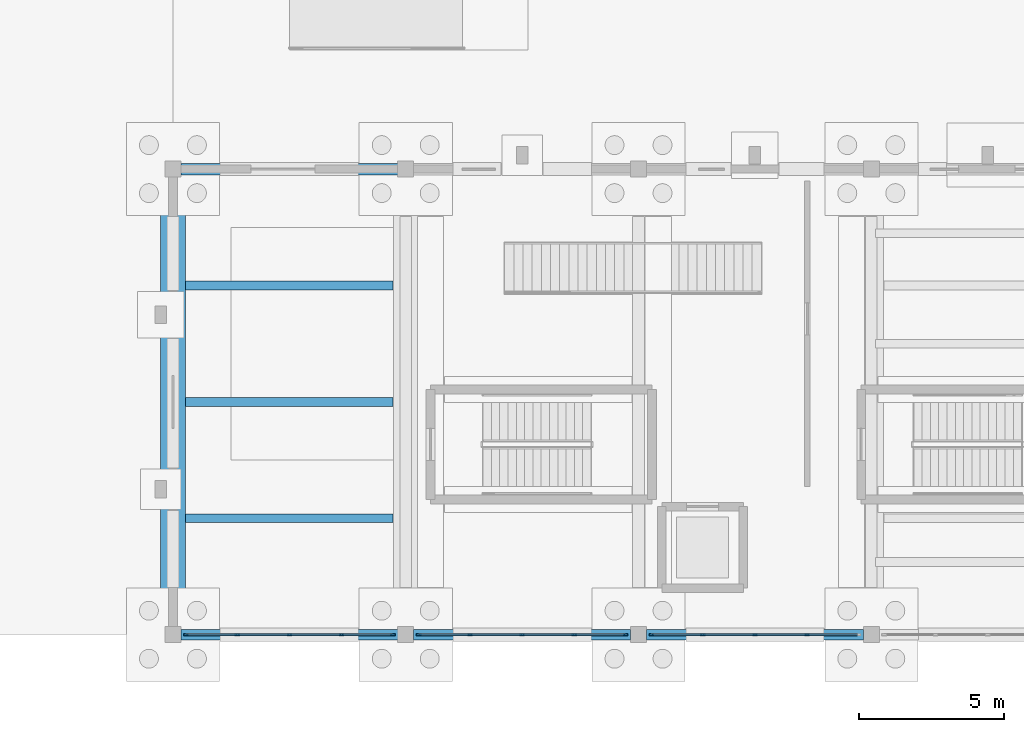
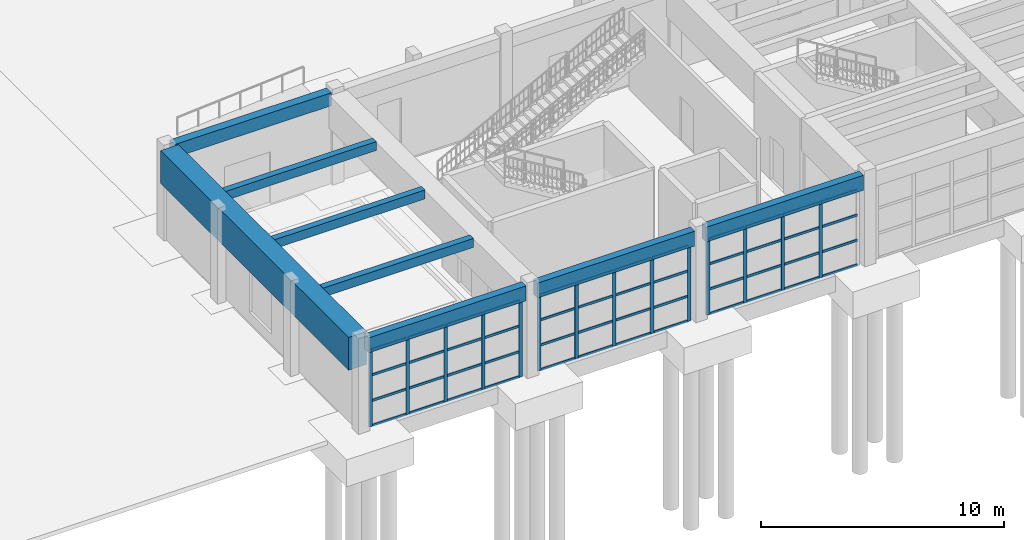
# One storey, part 18 of 68: 62 members, 8 beams, 3 elements without a shape of their own.
"""IFC4 building model written with IfcOpenShell, lengths in metres."""

import ifcopenshell
import ifcopenshell.guid

model = None  # the IFC model being written
_history = None  # IfcOwnerHistory: only IFC2X3 demands one
_inside = {}  # id of a spatial element -> (the spatial element, [elements in it])
_under = {}  # id of a project, library or spatial element -> (it, [spatial elements below it])
_declared = {}  # id of a project -> (the project, [libraries it declares])
_typed = {}  # id of a type object -> (the type object, [elements of that type])
_made_of = {}  # id of a material, layer set ... -> (it, [elements and type objects made of it])


def new_model(schema):
    """Start an empty IFC model of exactly this schema.

    Asked for "IFC4X3", IfcOpenShell would pick the latest addendum, in which some entities
    have other attributes; the version numbers below select the first issue.
    IFC2X3 requires an IfcOwnerHistory on every rooted entity: one is made here for all.
    """
    global model, _history
    if schema == "IFC4X3":
        model = ifcopenshell.file(schema_version=(4, 3, 0, 0))
    else:
        model = ifcopenshell.file(schema=schema)
    _inside.clear()
    _under.clear()
    _declared.clear()
    _typed.clear()
    _made_of.clear()
    _history = None
    if model.schema == "IFC2X3":
        org = make("IfcOrganization", Name="unknown")
        user = make(
            "IfcPersonAndOrganization",
            ThePerson=make("IfcPerson", FamilyName="unknown"),
            TheOrganization=org,
        )
        app = make(
            "IfcApplication",
            ApplicationDeveloper=org,
            Version="unknown",
            ApplicationFullName="unknown",
            ApplicationIdentifier="unknown",
        )
        _history = make(
            "IfcOwnerHistory",
            OwningUser=user,
            OwningApplication=app,
            ChangeAction="ADDED",
            CreationDate=0,
        )
    return model


def make(cls, **values):
    """One entity of the class cls with the attributes given. An attribute that is None is left unset."""
    return model.create_entity(
        cls, **{name: value for name, value in values.items() if value is not None}
    )


def rooted(cls, **values):
    """An entity with a GlobalId (a new one), such as an element, a storey or a relation."""
    return make(cls, GlobalId=ifcopenshell.guid.new(), OwnerHistory=_history, **values)


def si_unit(unit_type, name, prefix=None):
    """IfcSIUnit, for example si_unit("LENGTHUNIT", "METRE", prefix="MILLI")."""
    return make("IfcSIUnit", UnitType=unit_type, Prefix=prefix, Name=name)


def assignment(units):
    """IfcUnitAssignment: the units of a project."""
    return None if units is None else make("IfcUnitAssignment", Units=units)


def point(xyz):
    """IfcCartesianPoint."""
    return None if xyz is None else make("IfcCartesianPoint", Coordinates=xyz)


def direction(xyz):
    """IfcDirection."""
    return None if xyz is None else make("IfcDirection", DirectionRatios=xyz)


def frame(location, z_axis=None, x_axis=None):
    """IfcAxis2Placement3D, a coordinate frame: its origin and axes. An axis left out is left unset."""
    return make(
        "IfcAxis2Placement3D",
        Location=point(location),
        Axis=direction(z_axis),
        RefDirection=direction(x_axis),
    )


def frame_2d(location, x_axis=None):
    """IfcAxis2Placement2D, a coordinate frame in the plane: its origin and x axis."""
    return make(
        "IfcAxis2Placement2D", Location=point(location), RefDirection=direction(x_axis)
    )


def origin():
    """The frame at (0, 0, 0) with its axes left unset."""
    return frame((0.0, 0.0, 0.0))


def origin_2d():
    """The frame at (0, 0) in the plane with its x axis left unset."""
    return frame_2d((0.0, 0.0))


def place(relative_to, where):
    """IfcLocalPlacement: puts the frame where relative to a parent placement (None: the world)."""
    return make(
        "IfcLocalPlacement", PlacementRelTo=relative_to, RelativePlacement=where
    )


def context(
    kind, dimensions, precision=None, world=None, true_north=None, identifier=None
):
    """IfcGeometricRepresentationContext, for example the 3D "Model" context."""
    return make(
        "IfcGeometricRepresentationContext",
        ContextIdentifier=identifier,
        ContextType=kind,
        CoordinateSpaceDimension=dimensions,
        Precision=precision,
        WorldCoordinateSystem=world,
        TrueNorth=true_north,
    )


def subcontext(parent, identifier, kind, view, scale=None):
    """IfcGeometricRepresentationSubContext, for example "Body" below "Model"."""
    return make(
        "IfcGeometricRepresentationSubContext",
        ContextIdentifier=identifier,
        ContextType=kind,
        ParentContext=parent,
        TargetScale=scale,
        TargetView=view,
    )


def project(units=None, contexts=None):
    """IfcProject with its units and contexts."""
    return rooted(
        "IfcProject",
        Name="project",
        RepresentationContexts=contexts,
        UnitsInContext=assignment(units),
    )


def spatial(cls, under=None, at=None, **own):
    """A site, building, storey or space (cls), placed at a placement, below another one or the project."""
    s = rooted(cls, ObjectPlacement=at, **own)
    if under is not None:
        _under.setdefault(under.id(), (under, []))[1].append(s)
    return s


def profile(cls, at=None, kind="AREA", **sizes):
    """A parametric profile (cls). Its sizes go by their IFC names, for example OverallWidth=200.0."""
    return make(cls, ProfileType=kind, Position=at, **sizes)


def rectangle(**sizes):
    """IfcRectangleProfileDef."""
    return profile("IfcRectangleProfileDef", **sizes)


def extrude(swept, where, along, depth):
    """IfcExtrudedAreaSolid: the profile swept, set in the frame where, extruded along a direction by depth."""
    return make(
        "IfcExtrudedAreaSolid",
        SweptArea=swept,
        Position=where,
        ExtrudedDirection=direction(along),
        Depth=depth,
    )


def shape(context_of_items, identifier, shape_type, items):
    """IfcShapeRepresentation: the items that make up one representation, for example the "Body"."""
    return make(
        "IfcShapeRepresentation",
        ContextOfItems=context_of_items,
        RepresentationIdentifier=identifier,
        RepresentationType=shape_type,
        Items=items,
    )


def material(Name=None, Category=None):
    """IfcMaterial."""
    return make("IfcMaterial", Name=Name, Category=Category)


def material_profile(
    of_material, cross_section, Name=None, Category=None, Priority=None
):
    """IfcMaterialProfile: a cross section and its material."""
    return make(
        "IfcMaterialProfile",
        Name=Name,
        Material=of_material,
        Profile=cross_section,
        Priority=Priority,
        Category=Category,
    )


def profile_set(profiles, Name=None, composite=None):
    """IfcMaterialProfileSet."""
    return make(
        "IfcMaterialProfileSet",
        Name=Name,
        MaterialProfiles=profiles,
        CompositeProfile=composite,
    )


def made_of(thing, what):
    """Note that an element or type object is made of a material, layer set ...; save() writes the relation."""
    if what is not None:
        _made_of.setdefault(what.id(), (what, []))[1].append(thing)
    return thing


def type_object(cls, material=None, **own):
    """A type object (cls), such as IfcWallType, which elements share."""
    return made_of(rooted(cls, **own), material)


def element(
    cls,
    number,
    at=None,
    inside=None,
    cuts=None,
    type_object=None,
    material=None,
    context=None,
    identifier="Body",
    shape_type=None,
    held_by="IfcProductDefinitionShape",
    body=None,
    shapes=None,
    **own,
):
    """One element of the class cls, such as IfcWall. Its Tag is "e" and its number.

    at: its placement. inside: the storey or other place that contains it. cuts: it is an
    opening in that element (IfcRelVoidsElement). A single representation is given by context,
    identifier, shape_type and body (its items); several are given by shapes. held_by: the class
    of the entity that holds the representations. save() writes the other relations.
    """
    e = rooted(cls, Tag="e%d" % number, ObjectPlacement=at, **own)
    if body is not None:
        shapes = [shape(context, identifier, shape_type, body)]
    if shapes is not None:
        e.Representation = make(held_by, Representations=shapes)
    if inside is not None:
        _inside.setdefault(inside.id(), (inside, []))[1].append(e)
    if cuts is not None:
        rooted(
            "IfcRelVoidsElement", RelatingBuildingElement=cuts, RelatedOpeningElement=e
        )
    if type_object is not None:
        _typed.setdefault(type_object.id(), (type_object, []))[1].append(e)
    return made_of(e, material)


def aggregate(whole, parts):
    """IfcRelAggregates: a whole, such as a stair, and the parts it consists of."""
    return rooted("IfcRelAggregates", RelatingObject=whole, RelatedObjects=parts)


def save(model, path):
    """Write the relations noted so far, then the file.

    IfcRelAggregates (storeys below a building ...), IfcRelContainedInSpatialStructure (elements
    in a storey), IfcRelDefinesByType, IfcRelAssociatesMaterial and IfcRelDeclares: one each for
    every whole, place, type object, material and project.
    """
    for whole, parts in _under.values():
        aggregate(whole, parts)
    for where, things in _inside.values():
        rooted(
            "IfcRelContainedInSpatialStructure",
            RelatedElements=things,
            RelatingStructure=where,
        )
    for kind, things in _typed.values():
        rooted("IfcRelDefinesByType", RelatedObjects=things, RelatingType=kind)
    for what, things in _made_of.values():
        rooted("IfcRelAssociatesMaterial", RelatedObjects=things, RelatingMaterial=what)
    for by, libraries in _declared.values():
        rooted("IfcRelDeclares", RelatingContext=by, RelatedDefinitions=libraries)
    model.write(path)


model = new_model("IFC4")

# Units and contexts
model_context = context("Model", 3, precision=1e-05, world=origin(), true_north=direction((0.0, 1.0)))
body_context = subcontext(model_context, "Body", "Model", "MODEL_VIEW")
ifc_project = project(units=[si_unit("LENGTHUNIT", "METRE"), si_unit("AREAUNIT", "SQUARE_METRE"), si_unit("VOLUMEUNIT", "CUBIC_METRE"), si_unit("PLANEANGLEUNIT", "RADIAN"), si_unit("MASSUNIT", "GRAM", prefix="KILO")], contexts=[model_context])

# Site, building, storey
site_placement = place(None, origin())
site = spatial("IfcSite", under=ifc_project, at=site_placement, CompositionType="ELEMENT")
building_placement = place(site_placement, origin())
building = spatial("IfcBuilding", under=site, at=building_placement, Name="Serraluz Foothill Cableway Terminal", CompositionType="ELEMENT")
storey_placement = place(building_placement, origin())
storey = spatial("IfcBuildingStorey", under=building, at=storey_placement, Name="L00", CompositionType="ELEMENT", Elevation=0.0)

# Beams
ifc_material_1 = material(Name="Concrete C28/35 (f'c 28 MPa)", Category="concrete")
ifc_material_profile_1 = material_profile(ifc_material_1, rectangle(XDim=0.39990234375, YDim=0.64990234375, at=origin_2d()), Name="RC 400x650")
ifc_profile_set_1 = profile_set([ifc_material_profile_1], Name="Concrete C28/35 (f'c 28 MPa)")
beam_type_1 = type_object("IfcBeamType", Name="TYP-BM-RC400X650", PredefinedType="BEAM", material=ifc_profile_set_1)
beam_1_placement = place(storey_placement, frame((88.27099609375, 16.0, 4.27001953125), z_axis=(1.0, 0.0, 0.0), x_axis=(0.0, 1.0, 0.0)))
element("IfcBeam", 1, at=beam_1_placement, inside=storey, type_object=beam_type_1, Name="Primary Girder BM-X-L00-0042", PredefinedType="BEAM", context=body_context, shape_type="SweptSolid", body=[
    extrude(rectangle(XDim=0.39990234375, YDim=0.64990234375, at=origin_2d()), origin(), (0.0, 0.0, 1.0), 7.4580078125),
])
ifc_material_2 = material(Name="Concrete C35/45 (f'c 35 MPa)", Category="concrete")
ifc_material_profile_2 = material_profile(ifc_material_2, rectangle(XDim=0.85009765625, YDim=1.64990234375, at=origin_2d()), Name="RC TG 850x1650")
ifc_profile_set_2 = profile_set([ifc_material_profile_2], Name="Concrete C35/45 (f'c 35 MPa)")
beam_type_2 = type_object("IfcBeamType", Name="TYP-BM-RCTG1650", PredefinedType="BEAM", material=ifc_profile_set_2)
beam_2_placement = place(storey_placement, frame((88.0, 0.27099609375, 3.77001953125), z_axis=(0.0, 1.0, 0.0), x_axis=(-1.0, 0.0, 0.0)))
element("IfcBeam", 2, at=beam_2_placement, inside=storey, type_object=beam_type_2, Name="Transverse Girder BM-Y-L00-0139", PredefinedType="BEAM", context=body_context, shape_type="SweptSolid", body=[
    extrude(rectangle(XDim=0.85009765625, YDim=1.64990234375, at=origin_2d()), origin(), (0.0, 0.0, 1.0), 15.4580078125),
])

# Curtain wall, members
ifc_material_3 = material(Name="Architectural bronze alloy C28000", Category="aluminium")
curtain_wall_type_1 = type_object("IfcCurtainWallType", Name="TYP-CW-640X440", PredefinedType="NOTDEFINED", material=ifc_material_3)
curtain_wall_1_placement = place(storey_placement, origin())
curtain_wall_1 = element("IfcCurtainWall", 3, at=curtain_wall_1_placement, inside=storey, type_object=curtain_wall_type_1, Name="Ribbed Glazed Curtain Wall CW-V3S-L00-88", PredefinedType="NOTDEFINED")
ifc_material_profile_3 = material_profile(ifc_material_3, rectangle(XDim=0.06005859375, YDim=0.159912109375, at=origin_2d()), Name="ALU MULLION 60x160")
ifc_profile_set_3 = profile_set([ifc_material_profile_3], Name="Architectural bronze alloy C28000")
member_type_1 = type_object("IfcMemberType", Name="TYP-CW-MUL-60X160", PredefinedType="MULLION", material=ifc_profile_set_3)
member_1_placement = place(storey_placement, frame((95.554931640625, 0.0, 0.0), z_axis=(0.0, 0.0, 1.0), x_axis=(0.0, -1.0, 0.0)))
member_1 = element("IfcMember", 4, at=member_1_placement, type_object=member_type_1, Name="CW-12 mullion 1", PredefinedType="MULLION", context=body_context, shape_type="SweptSolid", body=[
    extrude(rectangle(XDim=0.06005859375, YDim=0.159912109375, at=origin_2d()), origin(), (0.0, 0.0, 1.0), 3.844970703125),
])
member_2_placement = place(storey_placement, frame((93.79248046875, 0.0, 0.0), z_axis=(0.0, 0.0, 1.0), x_axis=(0.0, -1.0, 0.0)))
member_2 = element("IfcMember", 5, at=member_2_placement, type_object=member_type_1, Name="CW-12 mullion 2", PredefinedType="MULLION", context=body_context, shape_type="SweptSolid", body=[
    extrude(rectangle(XDim=0.06005859375, YDim=0.159912109375, at=origin_2d()), origin(), (0.0, 0.0, 1.0), 3.844970703125),
])
member_3_placement = place(storey_placement, frame((92.0, 0.0, 0.0), z_axis=(0.0, 0.0, 1.0), x_axis=(0.0, -1.0, 0.0)))
member_3 = element("IfcMember", 6, at=member_3_placement, type_object=member_type_1, Name="CW-12 mullion 3", PredefinedType="MULLION", context=body_context, shape_type="SweptSolid", body=[
    extrude(rectangle(XDim=0.06005859375, YDim=0.159912109375, at=origin_2d()), origin(), (0.0, 0.0, 1.0), 3.844970703125),
])
member_4_placement = place(storey_placement, frame((90.20751953125, 0.0, 0.0), z_axis=(0.0, 0.0, 1.0), x_axis=(0.0, -1.0, 0.0)))
member_4 = element("IfcMember", 7, at=member_4_placement, type_object=member_type_1, Name="CW-12 mullion 4", PredefinedType="MULLION", context=body_context, shape_type="SweptSolid", body=[
    extrude(rectangle(XDim=0.06005859375, YDim=0.159912109375, at=origin_2d()), origin(), (0.0, 0.0, 1.0), 3.844970703125),
])
member_5_placement = place(storey_placement, frame((88.445068359375, 0.0, 0.0), z_axis=(0.0, 0.0, 1.0), x_axis=(0.0, -1.0, 0.0)))
member_5 = element("IfcMember", 8, at=member_5_placement, type_object=member_type_1, Name="CW-12 mullion 5", PredefinedType="MULLION", context=body_context, shape_type="SweptSolid", body=[
    extrude(rectangle(XDim=0.06005859375, YDim=0.159912109375, at=origin_2d()), origin(), (0.0, 0.0, 1.0), 3.844970703125),
])

curtain_wall_type_2 = type_object("IfcCurtainWallType", Name="TYP-CW-680X420", PredefinedType="NOTDEFINED", material=ifc_material_3)
curtain_wall_2_placement = place(storey_placement, origin())
curtain_wall_2 = element("IfcCurtainWall", 9, at=curtain_wall_2_placement, inside=storey, type_object=curtain_wall_type_2, Name="Ribbed Glazed Curtain Wall CW-V3S-L00-96", PredefinedType="NOTDEFINED")
member_6_placement = place(storey_placement, frame((103.554931640625, 0.0, 0.0), z_axis=(0.0, 0.0, 1.0), x_axis=(0.0, -1.0, 0.0)))
member_6 = element("IfcMember", 10, at=member_6_placement, type_object=member_type_1, Name="CW-13 mullion 1", PredefinedType="MULLION", context=body_context, shape_type="SweptSolid", body=[
    extrude(rectangle(XDim=0.06005859375, YDim=0.159912109375, at=origin_2d()), origin(), (0.0, 0.0, 1.0), 3.7900390625),
])
member_7_placement = place(storey_placement, frame((101.79248046875, 0.0, 0.0), z_axis=(0.0, 0.0, 1.0), x_axis=(0.0, -1.0, 0.0)))
member_7 = element("IfcMember", 11, at=member_7_placement, type_object=member_type_1, Name="CW-13 mullion 2", PredefinedType="MULLION", context=body_context, shape_type="SweptSolid", body=[
    extrude(rectangle(XDim=0.06005859375, YDim=0.159912109375, at=origin_2d()), origin(), (0.0, 0.0, 1.0), 3.7900390625),
])
member_8_placement = place(storey_placement, frame((100.0, 0.0, 0.0), z_axis=(0.0, 0.0, 1.0), x_axis=(0.0, -1.0, 0.0)))
member_8 = element("IfcMember", 12, at=member_8_placement, type_object=member_type_1, Name="CW-13 mullion 3", PredefinedType="MULLION", context=body_context, shape_type="SweptSolid", body=[
    extrude(rectangle(XDim=0.06005859375, YDim=0.159912109375, at=origin_2d()), origin(), (0.0, 0.0, 1.0), 3.7900390625),
])
member_9_placement = place(storey_placement, frame((98.20751953125, 0.0, 0.0), z_axis=(0.0, 0.0, 1.0), x_axis=(0.0, -1.0, 0.0)))
member_9 = element("IfcMember", 13, at=member_9_placement, type_object=member_type_1, Name="CW-13 mullion 4", PredefinedType="MULLION", context=body_context, shape_type="SweptSolid", body=[
    extrude(rectangle(XDim=0.06005859375, YDim=0.159912109375, at=origin_2d()), origin(), (0.0, 0.0, 1.0), 3.7900390625),
])
member_10_placement = place(storey_placement, frame((96.445068359375, 0.0, 0.0), z_axis=(0.0, 0.0, 1.0), x_axis=(0.0, -1.0, 0.0)))
member_10 = element("IfcMember", 14, at=member_10_placement, type_object=member_type_1, Name="CW-13 mullion 5", PredefinedType="MULLION", context=body_context, shape_type="SweptSolid", body=[
    extrude(rectangle(XDim=0.06005859375, YDim=0.159912109375, at=origin_2d()), origin(), (0.0, 0.0, 1.0), 3.7900390625),
])

curtain_wall_type_3 = type_object("IfcCurtainWallType", Name="TYP-CW-480X380", PredefinedType="NOTDEFINED", material=ifc_material_3)
curtain_wall_3_placement = place(storey_placement, origin())
curtain_wall_3 = element("IfcCurtainWall", 15, at=curtain_wall_3_placement, inside=storey, type_object=curtain_wall_type_3, Name="Ribbed Glazed Curtain Wall CW-V3S-L00-104", PredefinedType="NOTDEFINED")
member_11_placement = place(storey_placement, frame((109.79248046875, 0.0, 0.0), z_axis=(0.0, 0.0, 1.0), x_axis=(0.0, -1.0, 0.0)))
member_11 = element("IfcMember", 16, at=member_11_placement, type_object=member_type_1, Name="CW-14 mullion 2", PredefinedType="MULLION", context=body_context, shape_type="SweptSolid", body=[
    extrude(rectangle(XDim=0.06005859375, YDim=0.159912109375, at=origin_2d()), origin(), (0.0, 0.0, 1.0), 3.7900390625),
])
member_12_placement = place(storey_placement, frame((108.0, 0.0, 0.0), z_axis=(0.0, 0.0, 1.0), x_axis=(0.0, -1.0, 0.0)))
member_12 = element("IfcMember", 17, at=member_12_placement, type_object=member_type_1, Name="CW-14 mullion 3", PredefinedType="MULLION", context=body_context, shape_type="SweptSolid", body=[
    extrude(rectangle(XDim=0.06005859375, YDim=0.159912109375, at=origin_2d()), origin(), (0.0, 0.0, 1.0), 3.7900390625),
])
member_13_placement = place(storey_placement, frame((106.20751953125, 0.0, 0.0), z_axis=(0.0, 0.0, 1.0), x_axis=(0.0, -1.0, 0.0)))
member_13 = element("IfcMember", 18, at=member_13_placement, type_object=member_type_1, Name="CW-14 mullion 4", PredefinedType="MULLION", context=body_context, shape_type="SweptSolid", body=[
    extrude(rectangle(XDim=0.06005859375, YDim=0.159912109375, at=origin_2d()), origin(), (0.0, 0.0, 1.0), 3.7900390625),
])
member_14_placement = place(storey_placement, frame((104.445068359375, 0.0, 0.0), z_axis=(0.0, 0.0, 1.0), x_axis=(0.0, -1.0, 0.0)))
member_14 = element("IfcMember", 19, at=member_14_placement, type_object=member_type_1, Name="CW-14 mullion 5", PredefinedType="MULLION", context=body_context, shape_type="SweptSolid", body=[
    extrude(rectangle(XDim=0.06005859375, YDim=0.159912109375, at=origin_2d()), origin(), (0.0, 0.0, 1.0), 3.7900390625),
])

# Member
ifc_material_profile_4 = material_profile(ifc_material_3, rectangle(XDim=0.06005859375, YDim=0.1201171875, at=origin_2d()), Name="ALU TRANSOM 60x120")
ifc_profile_set_4 = profile_set([ifc_material_profile_4], Name="Architectural bronze alloy C28000")
member_type_2 = type_object("IfcMemberType", Name="TYP-CW-TRN-60X120", PredefinedType="USERDEFINED", material=ifc_profile_set_4)
member_15_placement = place(storey_placement, frame((95.52490234375, 0.0, 0.030029296875), z_axis=(-1.0, 0.0, 0.0), x_axis=(0.0, -1.0, 0.0)))
member_15 = element("IfcMember", 20, at=member_15_placement, type_object=member_type_2, Name="CW-12 transom 1.1", ObjectType="TRANSOM", PredefinedType="USERDEFINED", context=body_context, shape_type="SweptSolid", body=[
    extrude(rectangle(XDim=0.06005859375, YDim=0.1201171875, at=origin_2d()), origin(), (0.0, 0.0, 1.0), 1.702392578125),
])

member_16_placement = place(storey_placement, frame((95.52490234375, 0.0, 1.28173828125), z_axis=(-1.0, 0.0, 0.0), x_axis=(0.0, -1.0, 0.0)))
member_16 = element("IfcMember", 21, at=member_16_placement, type_object=member_type_2, Name="CW-12 transom 1.2", ObjectType="TRANSOM", PredefinedType="USERDEFINED", context=body_context, shape_type="SweptSolid", body=[
    extrude(rectangle(XDim=0.06005859375, YDim=0.1201171875, at=origin_2d()), origin(), (0.0, 0.0, 1.0), 1.702392578125),
])

member_17_placement = place(storey_placement, frame((95.52490234375, 0.0, 2.563232421875), z_axis=(-1.0, 0.0, 0.0), x_axis=(0.0, -1.0, 0.0)))
member_17 = element("IfcMember", 22, at=member_17_placement, type_object=member_type_2, Name="CW-12 transom 1.3", ObjectType="TRANSOM", PredefinedType="USERDEFINED", context=body_context, shape_type="SweptSolid", body=[
    extrude(rectangle(XDim=0.06005859375, YDim=0.1201171875, at=origin_2d()), origin(), (0.0, 0.0, 1.0), 1.702392578125),
])

member_18_placement = place(storey_placement, frame((95.52490234375, 0.0, 3.81494140625), z_axis=(-1.0, 0.0, 0.0), x_axis=(0.0, -1.0, 0.0)))
member_18 = element("IfcMember", 23, at=member_18_placement, type_object=member_type_2, Name="CW-12 transom 1.4", ObjectType="TRANSOM", PredefinedType="USERDEFINED", context=body_context, shape_type="SweptSolid", body=[
    extrude(rectangle(XDim=0.06005859375, YDim=0.1201171875, at=origin_2d()), origin(), (0.0, 0.0, 1.0), 1.702392578125),
])

member_19_placement = place(storey_placement, frame((93.762451171875, 0.0, 0.030029296875), z_axis=(-1.0, 0.0, 0.0), x_axis=(0.0, -1.0, 0.0)))
member_19 = element("IfcMember", 24, at=member_19_placement, type_object=member_type_2, Name="CW-12 transom 2.1", ObjectType="TRANSOM", PredefinedType="USERDEFINED", context=body_context, shape_type="SweptSolid", body=[
    extrude(rectangle(XDim=0.06005859375, YDim=0.1201171875, at=origin_2d()), origin(), (0.0, 0.0, 1.0), 1.732421875),
])

member_20_placement = place(storey_placement, frame((93.762451171875, 0.0, 1.28173828125), z_axis=(-1.0, 0.0, 0.0), x_axis=(0.0, -1.0, 0.0)))
member_20 = element("IfcMember", 25, at=member_20_placement, type_object=member_type_2, Name="CW-12 transom 2.2", ObjectType="TRANSOM", PredefinedType="USERDEFINED", context=body_context, shape_type="SweptSolid", body=[
    extrude(rectangle(XDim=0.06005859375, YDim=0.1201171875, at=origin_2d()), origin(), (0.0, 0.0, 1.0), 1.732421875),
])

member_21_placement = place(storey_placement, frame((93.762451171875, 0.0, 2.563232421875), z_axis=(-1.0, 0.0, 0.0), x_axis=(0.0, -1.0, 0.0)))
member_21 = element("IfcMember", 26, at=member_21_placement, type_object=member_type_2, Name="CW-12 transom 2.3", ObjectType="TRANSOM", PredefinedType="USERDEFINED", context=body_context, shape_type="SweptSolid", body=[
    extrude(rectangle(XDim=0.06005859375, YDim=0.1201171875, at=origin_2d()), origin(), (0.0, 0.0, 1.0), 1.732421875),
])

member_22_placement = place(storey_placement, frame((93.762451171875, 0.0, 3.81494140625), z_axis=(-1.0, 0.0, 0.0), x_axis=(0.0, -1.0, 0.0)))
member_22 = element("IfcMember", 27, at=member_22_placement, type_object=member_type_2, Name="CW-12 transom 2.4", ObjectType="TRANSOM", PredefinedType="USERDEFINED", context=body_context, shape_type="SweptSolid", body=[
    extrude(rectangle(XDim=0.06005859375, YDim=0.1201171875, at=origin_2d()), origin(), (0.0, 0.0, 1.0), 1.732421875),
])

member_23_placement = place(storey_placement, frame((91.969970703125, 0.0, 0.030029296875), z_axis=(-1.0, 0.0, 0.0), x_axis=(0.0, -1.0, 0.0)))
member_23 = element("IfcMember", 28, at=member_23_placement, type_object=member_type_2, Name="CW-12 transom 3.1", ObjectType="TRANSOM", PredefinedType="USERDEFINED", context=body_context, shape_type="SweptSolid", body=[
    extrude(rectangle(XDim=0.06005859375, YDim=0.1201171875, at=origin_2d()), origin(), (0.0, 0.0, 1.0), 1.732421875),
])

member_24_placement = place(storey_placement, frame((91.969970703125, 0.0, 1.28173828125), z_axis=(-1.0, 0.0, 0.0), x_axis=(0.0, -1.0, 0.0)))
member_24 = element("IfcMember", 29, at=member_24_placement, type_object=member_type_2, Name="CW-12 transom 3.2", ObjectType="TRANSOM", PredefinedType="USERDEFINED", context=body_context, shape_type="SweptSolid", body=[
    extrude(rectangle(XDim=0.06005859375, YDim=0.1201171875, at=origin_2d()), origin(), (0.0, 0.0, 1.0), 1.732421875),
])

member_25_placement = place(storey_placement, frame((91.969970703125, 0.0, 2.563232421875), z_axis=(-1.0, 0.0, 0.0), x_axis=(0.0, -1.0, 0.0)))
member_25 = element("IfcMember", 30, at=member_25_placement, type_object=member_type_2, Name="CW-12 transom 3.3", ObjectType="TRANSOM", PredefinedType="USERDEFINED", context=body_context, shape_type="SweptSolid", body=[
    extrude(rectangle(XDim=0.06005859375, YDim=0.1201171875, at=origin_2d()), origin(), (0.0, 0.0, 1.0), 1.732421875),
])

member_26_placement = place(storey_placement, frame((91.969970703125, 0.0, 3.81494140625), z_axis=(-1.0, 0.0, 0.0), x_axis=(0.0, -1.0, 0.0)))
member_26 = element("IfcMember", 31, at=member_26_placement, type_object=member_type_2, Name="CW-12 transom 3.4", ObjectType="TRANSOM", PredefinedType="USERDEFINED", context=body_context, shape_type="SweptSolid", body=[
    extrude(rectangle(XDim=0.06005859375, YDim=0.1201171875, at=origin_2d()), origin(), (0.0, 0.0, 1.0), 1.732421875),
])

member_27_placement = place(storey_placement, frame((90.177490234375, 0.0, 0.030029296875), z_axis=(-1.0, 0.0, 0.0), x_axis=(0.0, -1.0, 0.0)))
member_27 = element("IfcMember", 32, at=member_27_placement, type_object=member_type_2, Name="CW-12 transom 4.1", ObjectType="TRANSOM", PredefinedType="USERDEFINED", context=body_context, shape_type="SweptSolid", body=[
    extrude(rectangle(XDim=0.06005859375, YDim=0.1201171875, at=origin_2d()), origin(), (0.0, 0.0, 1.0), 1.702392578125),
])

member_28_placement = place(storey_placement, frame((90.177490234375, 0.0, 1.28173828125), z_axis=(-1.0, 0.0, 0.0), x_axis=(0.0, -1.0, 0.0)))
member_28 = element("IfcMember", 33, at=member_28_placement, type_object=member_type_2, Name="CW-12 transom 4.2", ObjectType="TRANSOM", PredefinedType="USERDEFINED", context=body_context, shape_type="SweptSolid", body=[
    extrude(rectangle(XDim=0.06005859375, YDim=0.1201171875, at=origin_2d()), origin(), (0.0, 0.0, 1.0), 1.702392578125),
])

member_29_placement = place(storey_placement, frame((90.177490234375, 0.0, 2.563232421875), z_axis=(-1.0, 0.0, 0.0), x_axis=(0.0, -1.0, 0.0)))
member_29 = element("IfcMember", 34, at=member_29_placement, type_object=member_type_2, Name="CW-12 transom 4.3", ObjectType="TRANSOM", PredefinedType="USERDEFINED", context=body_context, shape_type="SweptSolid", body=[
    extrude(rectangle(XDim=0.06005859375, YDim=0.1201171875, at=origin_2d()), origin(), (0.0, 0.0, 1.0), 1.702392578125),
])

member_30_placement = place(storey_placement, frame((90.177490234375, 0.0, 3.81494140625), z_axis=(-1.0, 0.0, 0.0), x_axis=(0.0, -1.0, 0.0)))
member_30 = element("IfcMember", 35, at=member_30_placement, type_object=member_type_2, Name="CW-12 transom 4.4", ObjectType="TRANSOM", PredefinedType="USERDEFINED", context=body_context, shape_type="SweptSolid", body=[
    extrude(rectangle(XDim=0.06005859375, YDim=0.1201171875, at=origin_2d()), origin(), (0.0, 0.0, 1.0), 1.702392578125),
])

aggregate(curtain_wall_1, [member_1, member_2, member_3, member_4, member_5, member_15, member_16, member_17, member_18, member_19, member_20, member_21, member_22, member_23, member_24, member_25, member_26, member_27, member_28, member_29, member_30])

member_31_placement = place(storey_placement, frame((103.52490234375, 0.0, 0.030029296875), z_axis=(-1.0, 0.0, 0.0), x_axis=(0.0, -1.0, 0.0)))
member_31 = element("IfcMember", 36, at=member_31_placement, type_object=member_type_2, Name="CW-13 transom 1.1", ObjectType="TRANSOM", PredefinedType="USERDEFINED", context=body_context, shape_type="SweptSolid", body=[
    extrude(rectangle(XDim=0.06005859375, YDim=0.1201171875, at=origin_2d()), origin(), (0.0, 0.0, 1.0), 1.702392578125),
])

member_32_placement = place(storey_placement, frame((103.52490234375, 0.0, 1.26318359375), z_axis=(-1.0, 0.0, 0.0), x_axis=(0.0, -1.0, 0.0)))
member_32 = element("IfcMember", 37, at=member_32_placement, type_object=member_type_2, Name="CW-13 transom 1.2", ObjectType="TRANSOM", PredefinedType="USERDEFINED", context=body_context, shape_type="SweptSolid", body=[
    extrude(rectangle(XDim=0.06005859375, YDim=0.1201171875, at=origin_2d()), origin(), (0.0, 0.0, 1.0), 1.702392578125),
])

member_33_placement = place(storey_placement, frame((103.52490234375, 0.0, 2.526611328125), z_axis=(-1.0, 0.0, 0.0), x_axis=(0.0, -1.0, 0.0)))
member_33 = element("IfcMember", 38, at=member_33_placement, type_object=member_type_2, Name="CW-13 transom 1.3", ObjectType="TRANSOM", PredefinedType="USERDEFINED", context=body_context, shape_type="SweptSolid", body=[
    extrude(rectangle(XDim=0.06005859375, YDim=0.1201171875, at=origin_2d()), origin(), (0.0, 0.0, 1.0), 1.702392578125),
])

member_34_placement = place(storey_placement, frame((103.52490234375, 0.0, 3.760009765625), z_axis=(-1.0, 0.0, 0.0), x_axis=(0.0, -1.0, 0.0)))
member_34 = element("IfcMember", 39, at=member_34_placement, type_object=member_type_2, Name="CW-13 transom 1.4", ObjectType="TRANSOM", PredefinedType="USERDEFINED", context=body_context, shape_type="SweptSolid", body=[
    extrude(rectangle(XDim=0.06005859375, YDim=0.1201171875, at=origin_2d()), origin(), (0.0, 0.0, 1.0), 1.702392578125),
])

member_35_placement = place(storey_placement, frame((101.762451171875, 0.0, 0.030029296875), z_axis=(-1.0, 0.0, 0.0), x_axis=(0.0, -1.0, 0.0)))
member_35 = element("IfcMember", 40, at=member_35_placement, type_object=member_type_2, Name="CW-13 transom 2.1", ObjectType="TRANSOM", PredefinedType="USERDEFINED", context=body_context, shape_type="SweptSolid", body=[
    extrude(rectangle(XDim=0.06005859375, YDim=0.1201171875, at=origin_2d()), origin(), (0.0, 0.0, 1.0), 1.732421875),
])

member_36_placement = place(storey_placement, frame((101.762451171875, 0.0, 1.26318359375), z_axis=(-1.0, 0.0, 0.0), x_axis=(0.0, -1.0, 0.0)))
member_36 = element("IfcMember", 41, at=member_36_placement, type_object=member_type_2, Name="CW-13 transom 2.2", ObjectType="TRANSOM", PredefinedType="USERDEFINED", context=body_context, shape_type="SweptSolid", body=[
    extrude(rectangle(XDim=0.06005859375, YDim=0.1201171875, at=origin_2d()), origin(), (0.0, 0.0, 1.0), 1.732421875),
])

member_37_placement = place(storey_placement, frame((101.762451171875, 0.0, 2.526611328125), z_axis=(-1.0, 0.0, 0.0), x_axis=(0.0, -1.0, 0.0)))
member_37 = element("IfcMember", 42, at=member_37_placement, type_object=member_type_2, Name="CW-13 transom 2.3", ObjectType="TRANSOM", PredefinedType="USERDEFINED", context=body_context, shape_type="SweptSolid", body=[
    extrude(rectangle(XDim=0.06005859375, YDim=0.1201171875, at=origin_2d()), origin(), (0.0, 0.0, 1.0), 1.732421875),
])

member_38_placement = place(storey_placement, frame((101.762451171875, 0.0, 3.760009765625), z_axis=(-1.0, 0.0, 0.0), x_axis=(0.0, -1.0, 0.0)))
member_38 = element("IfcMember", 43, at=member_38_placement, type_object=member_type_2, Name="CW-13 transom 2.4", ObjectType="TRANSOM", PredefinedType="USERDEFINED", context=body_context, shape_type="SweptSolid", body=[
    extrude(rectangle(XDim=0.06005859375, YDim=0.1201171875, at=origin_2d()), origin(), (0.0, 0.0, 1.0), 1.732421875),
])

member_39_placement = place(storey_placement, frame((99.969970703125, 0.0, 0.030029296875), z_axis=(-1.0, 0.0, 0.0), x_axis=(0.0, -1.0, 0.0)))
member_39 = element("IfcMember", 44, at=member_39_placement, type_object=member_type_2, Name="CW-13 transom 3.1", ObjectType="TRANSOM", PredefinedType="USERDEFINED", context=body_context, shape_type="SweptSolid", body=[
    extrude(rectangle(XDim=0.06005859375, YDim=0.1201171875, at=origin_2d()), origin(), (0.0, 0.0, 1.0), 1.732421875),
])

member_40_placement = place(storey_placement, frame((99.969970703125, 0.0, 1.26318359375), z_axis=(-1.0, 0.0, 0.0), x_axis=(0.0, -1.0, 0.0)))
member_40 = element("IfcMember", 45, at=member_40_placement, type_object=member_type_2, Name="CW-13 transom 3.2", ObjectType="TRANSOM", PredefinedType="USERDEFINED", context=body_context, shape_type="SweptSolid", body=[
    extrude(rectangle(XDim=0.06005859375, YDim=0.1201171875, at=origin_2d()), origin(), (0.0, 0.0, 1.0), 1.732421875),
])

member_41_placement = place(storey_placement, frame((99.969970703125, 0.0, 2.526611328125), z_axis=(-1.0, 0.0, 0.0), x_axis=(0.0, -1.0, 0.0)))
member_41 = element("IfcMember", 46, at=member_41_placement, type_object=member_type_2, Name="CW-13 transom 3.3", ObjectType="TRANSOM", PredefinedType="USERDEFINED", context=body_context, shape_type="SweptSolid", body=[
    extrude(rectangle(XDim=0.06005859375, YDim=0.1201171875, at=origin_2d()), origin(), (0.0, 0.0, 1.0), 1.732421875),
])

member_42_placement = place(storey_placement, frame((99.969970703125, 0.0, 3.760009765625), z_axis=(-1.0, 0.0, 0.0), x_axis=(0.0, -1.0, 0.0)))
member_42 = element("IfcMember", 47, at=member_42_placement, type_object=member_type_2, Name="CW-13 transom 3.4", ObjectType="TRANSOM", PredefinedType="USERDEFINED", context=body_context, shape_type="SweptSolid", body=[
    extrude(rectangle(XDim=0.06005859375, YDim=0.1201171875, at=origin_2d()), origin(), (0.0, 0.0, 1.0), 1.732421875),
])

member_43_placement = place(storey_placement, frame((98.177490234375, 0.0, 0.030029296875), z_axis=(-1.0, 0.0, 0.0), x_axis=(0.0, -1.0, 0.0)))
member_43 = element("IfcMember", 48, at=member_43_placement, type_object=member_type_2, Name="CW-13 transom 4.1", ObjectType="TRANSOM", PredefinedType="USERDEFINED", context=body_context, shape_type="SweptSolid", body=[
    extrude(rectangle(XDim=0.06005859375, YDim=0.1201171875, at=origin_2d()), origin(), (0.0, 0.0, 1.0), 1.702392578125),
])

member_44_placement = place(storey_placement, frame((98.177490234375, 0.0, 1.26318359375), z_axis=(-1.0, 0.0, 0.0), x_axis=(0.0, -1.0, 0.0)))
member_44 = element("IfcMember", 49, at=member_44_placement, type_object=member_type_2, Name="CW-13 transom 4.2", ObjectType="TRANSOM", PredefinedType="USERDEFINED", context=body_context, shape_type="SweptSolid", body=[
    extrude(rectangle(XDim=0.06005859375, YDim=0.1201171875, at=origin_2d()), origin(), (0.0, 0.0, 1.0), 1.702392578125),
])

member_45_placement = place(storey_placement, frame((98.177490234375, 0.0, 2.526611328125), z_axis=(-1.0, 0.0, 0.0), x_axis=(0.0, -1.0, 0.0)))
member_45 = element("IfcMember", 50, at=member_45_placement, type_object=member_type_2, Name="CW-13 transom 4.3", ObjectType="TRANSOM", PredefinedType="USERDEFINED", context=body_context, shape_type="SweptSolid", body=[
    extrude(rectangle(XDim=0.06005859375, YDim=0.1201171875, at=origin_2d()), origin(), (0.0, 0.0, 1.0), 1.702392578125),
])

member_46_placement = place(storey_placement, frame((98.177490234375, 0.0, 3.760009765625), z_axis=(-1.0, 0.0, 0.0), x_axis=(0.0, -1.0, 0.0)))
member_46 = element("IfcMember", 51, at=member_46_placement, type_object=member_type_2, Name="CW-13 transom 4.4", ObjectType="TRANSOM", PredefinedType="USERDEFINED", context=body_context, shape_type="SweptSolid", body=[
    extrude(rectangle(XDim=0.06005859375, YDim=0.1201171875, at=origin_2d()), origin(), (0.0, 0.0, 1.0), 1.702392578125),
])

aggregate(curtain_wall_2, [member_6, member_7, member_8, member_9, member_10, member_31, member_32, member_33, member_34, member_35, member_36, member_37, member_38, member_39, member_40, member_41, member_42, member_43, member_44, member_45, member_46])

member_47_placement = place(storey_placement, frame((111.52490234375, 0.0, 0.030029296875), z_axis=(-1.0, 0.0, 0.0), x_axis=(0.0, -1.0, 0.0)))
member_47 = element("IfcMember", 52, at=member_47_placement, type_object=member_type_2, Name="CW-14 transom 1.1", ObjectType="TRANSOM", PredefinedType="USERDEFINED", context=body_context, shape_type="SweptSolid", body=[
    extrude(rectangle(XDim=0.06005859375, YDim=0.1201171875, at=origin_2d()), origin(), (0.0, 0.0, 1.0), 1.702392578125),
])

member_48_placement = place(storey_placement, frame((111.52490234375, 0.0, 1.26318359375), z_axis=(-1.0, 0.0, 0.0), x_axis=(0.0, -1.0, 0.0)))
member_48 = element("IfcMember", 53, at=member_48_placement, type_object=member_type_2, Name="CW-14 transom 1.2", ObjectType="TRANSOM", PredefinedType="USERDEFINED", context=body_context, shape_type="SweptSolid", body=[
    extrude(rectangle(XDim=0.06005859375, YDim=0.1201171875, at=origin_2d()), origin(), (0.0, 0.0, 1.0), 1.702392578125),
])

member_49_placement = place(storey_placement, frame((111.52490234375, 0.0, 2.526611328125), z_axis=(-1.0, 0.0, 0.0), x_axis=(0.0, -1.0, 0.0)))
member_49 = element("IfcMember", 54, at=member_49_placement, type_object=member_type_2, Name="CW-14 transom 1.3", ObjectType="TRANSOM", PredefinedType="USERDEFINED", context=body_context, shape_type="SweptSolid", body=[
    extrude(rectangle(XDim=0.06005859375, YDim=0.1201171875, at=origin_2d()), origin(), (0.0, 0.0, 1.0), 1.702392578125),
])

member_50_placement = place(storey_placement, frame((111.52490234375, 0.0, 3.760009765625), z_axis=(-1.0, 0.0, 0.0), x_axis=(0.0, -1.0, 0.0)))
member_50 = element("IfcMember", 55, at=member_50_placement, type_object=member_type_2, Name="CW-14 transom 1.4", ObjectType="TRANSOM", PredefinedType="USERDEFINED", context=body_context, shape_type="SweptSolid", body=[
    extrude(rectangle(XDim=0.06005859375, YDim=0.1201171875, at=origin_2d()), origin(), (0.0, 0.0, 1.0), 1.702392578125),
])

member_51_placement = place(storey_placement, frame((109.762451171875, 0.0, 0.030029296875), z_axis=(-1.0, 0.0, 0.0), x_axis=(0.0, -1.0, 0.0)))
member_51 = element("IfcMember", 56, at=member_51_placement, type_object=member_type_2, Name="CW-14 transom 2.1", ObjectType="TRANSOM", PredefinedType="USERDEFINED", context=body_context, shape_type="SweptSolid", body=[
    extrude(rectangle(XDim=0.06005859375, YDim=0.1201171875, at=origin_2d()), origin(), (0.0, 0.0, 1.0), 1.732421875),
])

member_52_placement = place(storey_placement, frame((109.762451171875, 0.0, 1.26318359375), z_axis=(-1.0, 0.0, 0.0), x_axis=(0.0, -1.0, 0.0)))
member_52 = element("IfcMember", 57, at=member_52_placement, type_object=member_type_2, Name="CW-14 transom 2.2", ObjectType="TRANSOM", PredefinedType="USERDEFINED", context=body_context, shape_type="SweptSolid", body=[
    extrude(rectangle(XDim=0.06005859375, YDim=0.1201171875, at=origin_2d()), origin(), (0.0, 0.0, 1.0), 1.732421875),
])

member_53_placement = place(storey_placement, frame((109.762451171875, 0.0, 2.526611328125), z_axis=(-1.0, 0.0, 0.0), x_axis=(0.0, -1.0, 0.0)))
member_53 = element("IfcMember", 58, at=member_53_placement, type_object=member_type_2, Name="CW-14 transom 2.3", ObjectType="TRANSOM", PredefinedType="USERDEFINED", context=body_context, shape_type="SweptSolid", body=[
    extrude(rectangle(XDim=0.06005859375, YDim=0.1201171875, at=origin_2d()), origin(), (0.0, 0.0, 1.0), 1.732421875),
])

member_54_placement = place(storey_placement, frame((109.762451171875, 0.0, 3.760009765625), z_axis=(-1.0, 0.0, 0.0), x_axis=(0.0, -1.0, 0.0)))
member_54 = element("IfcMember", 59, at=member_54_placement, type_object=member_type_2, Name="CW-14 transom 2.4", ObjectType="TRANSOM", PredefinedType="USERDEFINED", context=body_context, shape_type="SweptSolid", body=[
    extrude(rectangle(XDim=0.06005859375, YDim=0.1201171875, at=origin_2d()), origin(), (0.0, 0.0, 1.0), 1.732421875),
])

member_55_placement = place(storey_placement, frame((107.969970703125, 0.0, 0.030029296875), z_axis=(-1.0, 0.0, 0.0), x_axis=(0.0, -1.0, 0.0)))
member_55 = element("IfcMember", 60, at=member_55_placement, type_object=member_type_2, Name="CW-14 transom 3.1", ObjectType="TRANSOM", PredefinedType="USERDEFINED", context=body_context, shape_type="SweptSolid", body=[
    extrude(rectangle(XDim=0.06005859375, YDim=0.1201171875, at=origin_2d()), origin(), (0.0, 0.0, 1.0), 1.732421875),
])

member_56_placement = place(storey_placement, frame((107.969970703125, 0.0, 1.26318359375), z_axis=(-1.0, 0.0, 0.0), x_axis=(0.0, -1.0, 0.0)))
member_56 = element("IfcMember", 61, at=member_56_placement, type_object=member_type_2, Name="CW-14 transom 3.2", ObjectType="TRANSOM", PredefinedType="USERDEFINED", context=body_context, shape_type="SweptSolid", body=[
    extrude(rectangle(XDim=0.06005859375, YDim=0.1201171875, at=origin_2d()), origin(), (0.0, 0.0, 1.0), 1.732421875),
])

member_57_placement = place(storey_placement, frame((107.969970703125, 0.0, 2.526611328125), z_axis=(-1.0, 0.0, 0.0), x_axis=(0.0, -1.0, 0.0)))
member_57 = element("IfcMember", 62, at=member_57_placement, type_object=member_type_2, Name="CW-14 transom 3.3", ObjectType="TRANSOM", PredefinedType="USERDEFINED", context=body_context, shape_type="SweptSolid", body=[
    extrude(rectangle(XDim=0.06005859375, YDim=0.1201171875, at=origin_2d()), origin(), (0.0, 0.0, 1.0), 1.732421875),
])

member_58_placement = place(storey_placement, frame((107.969970703125, 0.0, 3.760009765625), z_axis=(-1.0, 0.0, 0.0), x_axis=(0.0, -1.0, 0.0)))
member_58 = element("IfcMember", 63, at=member_58_placement, type_object=member_type_2, Name="CW-14 transom 3.4", ObjectType="TRANSOM", PredefinedType="USERDEFINED", context=body_context, shape_type="SweptSolid", body=[
    extrude(rectangle(XDim=0.06005859375, YDim=0.1201171875, at=origin_2d()), origin(), (0.0, 0.0, 1.0), 1.732421875),
])

member_59_placement = place(storey_placement, frame((106.177490234375, 0.0, 0.030029296875), z_axis=(-1.0, 0.0, 0.0), x_axis=(0.0, -1.0, 0.0)))
member_59 = element("IfcMember", 64, at=member_59_placement, type_object=member_type_2, Name="CW-14 transom 4.1", ObjectType="TRANSOM", PredefinedType="USERDEFINED", context=body_context, shape_type="SweptSolid", body=[
    extrude(rectangle(XDim=0.06005859375, YDim=0.1201171875, at=origin_2d()), origin(), (0.0, 0.0, 1.0), 1.702392578125),
])

member_60_placement = place(storey_placement, frame((106.177490234375, 0.0, 1.26318359375), z_axis=(-1.0, 0.0, 0.0), x_axis=(0.0, -1.0, 0.0)))
member_60 = element("IfcMember", 65, at=member_60_placement, type_object=member_type_2, Name="CW-14 transom 4.2", ObjectType="TRANSOM", PredefinedType="USERDEFINED", context=body_context, shape_type="SweptSolid", body=[
    extrude(rectangle(XDim=0.06005859375, YDim=0.1201171875, at=origin_2d()), origin(), (0.0, 0.0, 1.0), 1.702392578125),
])

member_61_placement = place(storey_placement, frame((106.177490234375, 0.0, 2.526611328125), z_axis=(-1.0, 0.0, 0.0), x_axis=(0.0, -1.0, 0.0)))
member_61 = element("IfcMember", 66, at=member_61_placement, type_object=member_type_2, Name="CW-14 transom 4.3", ObjectType="TRANSOM", PredefinedType="USERDEFINED", context=body_context, shape_type="SweptSolid", body=[
    extrude(rectangle(XDim=0.06005859375, YDim=0.1201171875, at=origin_2d()), origin(), (0.0, 0.0, 1.0), 1.702392578125),
])

member_62_placement = place(storey_placement, frame((106.177490234375, 0.0, 3.760009765625), z_axis=(-1.0, 0.0, 0.0), x_axis=(0.0, -1.0, 0.0)))
member_62 = element("IfcMember", 67, at=member_62_placement, type_object=member_type_2, Name="CW-14 transom 4.4", ObjectType="TRANSOM", PredefinedType="USERDEFINED", context=body_context, shape_type="SweptSolid", body=[
    extrude(rectangle(XDim=0.06005859375, YDim=0.1201171875, at=origin_2d()), origin(), (0.0, 0.0, 1.0), 1.702392578125),
])

aggregate(curtain_wall_3, [member_11, member_12, member_13, member_14, member_47, member_48, member_49, member_50, member_51, member_52, member_53, member_54, member_55, member_56, member_57, member_58, member_59, member_60, member_61, member_62])

# Beams
ifc_material_profile_5 = material_profile(ifc_material_1, rectangle(XDim=0.300048828125, YDim=0.449951171875, at=origin_2d()), Name="RC 300x450")
ifc_profile_set_5 = profile_set([ifc_material_profile_5], Name="Concrete C28/35 (f'c 28 MPa)")
beam_type_3 = type_object("IfcBeamType", Name="TYP-JS-RC300X450", PredefinedType="JOIST", material=ifc_profile_set_5)
for number, where, z_axis, x_axis, name in (
    (68, (88.429931640625, 4.0, 4.3701171875), (1.0, 0.0, 0.0), (0.0, 1.0, 0.0), "Secondary Floor Joist JS-L00-0028"),
    (69, (88.429931640625, 8.0, 4.3701171875), (1.0, 0.0, 0.0), (0.0, 1.0, 0.0), "Secondary Floor Joist JS-L00-0029"),
    (70, (88.429931640625, 12.0, 4.3701171875), (1.0, 0.0, 0.0), (0.0, 1.0, 0.0), "Secondary Floor Joist JS-L00-0030"),
):
    element("IfcBeam", number, at=place(storey_placement, frame(where, z_axis=z_axis, x_axis=x_axis)), inside=storey, type_object=beam_type_3, Name=name, PredefinedType="JOIST", context=body_context, shape_type="SweptSolid", body=[
        extrude(rectangle(XDim=0.300048828125, YDim=0.449951171875, at=origin_2d()), origin(), (0.0, 0.0, 1.0), 7.14013671875),
    ])
ifc_material_4 = material(Name="Precast concrete C40/50", Category="concrete")
ifc_material_profile_6 = material_profile(ifc_material_4, rectangle(XDim=0.35009765625, YDim=0.75, at=origin_2d()), Name="RC SP 350x750")
ifc_profile_set_6 = profile_set([ifc_material_profile_6], Name="Precast concrete C40/50")
beam_type_4 = type_object("IfcBeamType", Name="TYP-SP-RC350X750", PredefinedType="SPANDREL", material=ifc_profile_set_6)
for number, where, z_axis, x_axis, name in (
    (71, (88.27099609375, 0.0, 4.219970703125), (1.0, 0.0, 0.0), (0.0, 1.0, 0.0), "Primary Girder BM-X-L00-0034"),
    (72, (96.27099609375, 0.0, 4.1650390625), (1.0, 0.0, 0.0), (0.0, 1.0, 0.0), "Primary Girder BM-X-L00-0035"),
    (73, (104.27099609375, 0.0, 4.1650390625), (1.0, 0.0, 0.0), (0.0, 1.0, 0.0), "Primary Girder BM-X-L00-0036"),
):
    element("IfcBeam", number, at=place(storey_placement, frame(where, z_axis=z_axis, x_axis=x_axis)), inside=storey, type_object=beam_type_4, Name=name, PredefinedType="SPANDREL", context=body_context, shape_type="SweptSolid", body=[
        extrude(rectangle(XDim=0.35009765625, YDim=0.75, at=origin_2d()), origin(), (0.0, 0.0, 1.0), 7.4580078125),
    ])

save(model, "model.ifc")
